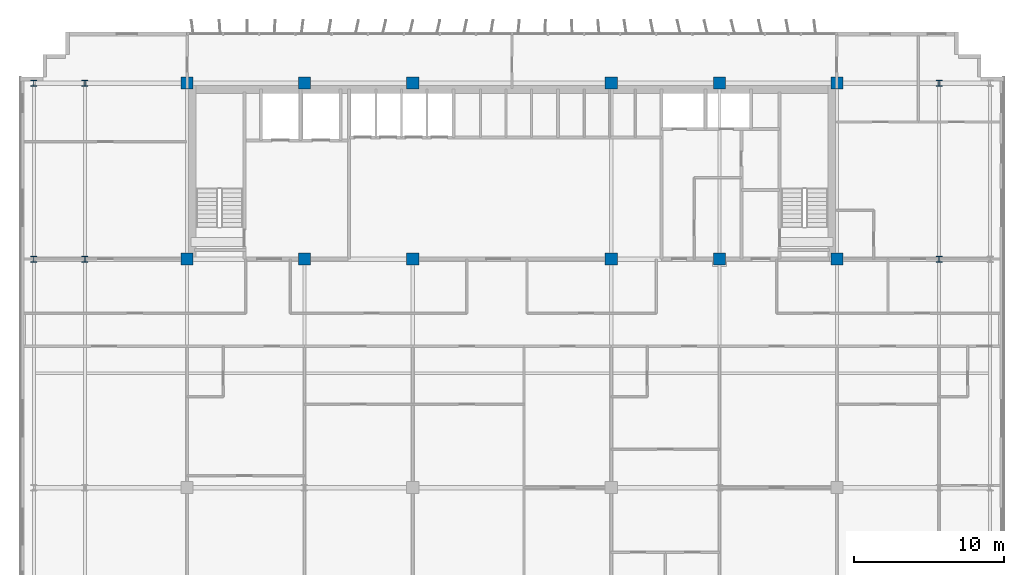
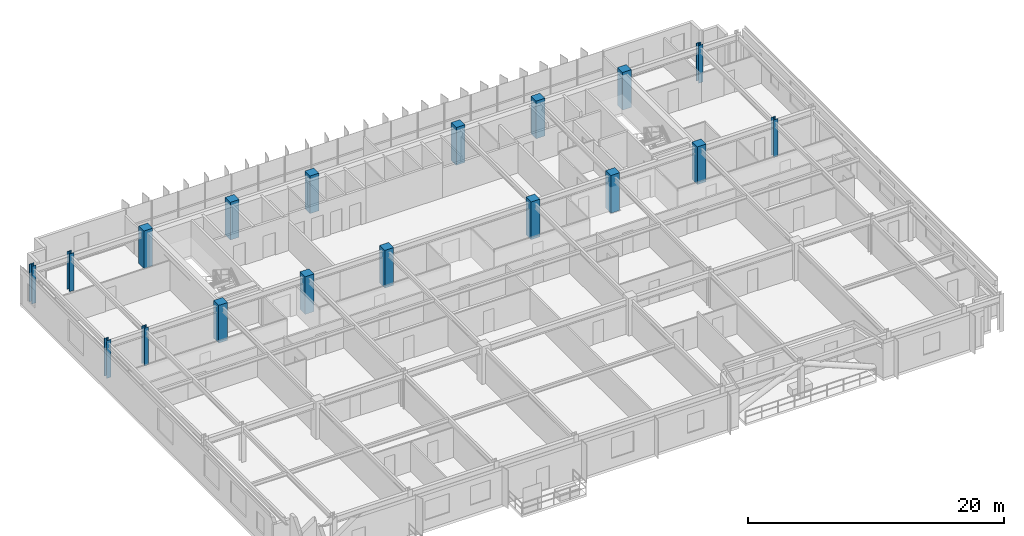
# One storey, part 2 of 22: 18 columns.
"""IFC4 building model written with IfcOpenShell, lengths in metres."""

from ifc_helpers import new_model, si_unit, direction, frame, origin, origin_2d, place, context, subcontext, project, spatial, rectangle, i_section, extrude, source, transform, mapped, material, material_profile, profile_set, type_object, element, save


model = new_model("IFC4")

# Units and contexts
model_context = context("Model", 3, precision=1e-05, world=origin(), true_north=direction((0.0, 1.0)))
body_context = subcontext(model_context, "Body", "Model", "MODEL_VIEW")
ifc_project = project(units=[si_unit("LENGTHUNIT", "METRE"), si_unit("AREAUNIT", "SQUARE_METRE"), si_unit("VOLUMEUNIT", "CUBIC_METRE"), si_unit("PLANEANGLEUNIT", "RADIAN"), si_unit("MASSUNIT", "GRAM", prefix="KILO")], contexts=[model_context])

# Site, building, storey
site_placement = place(None, origin())
site = spatial("IfcSite", under=ifc_project, at=site_placement, CompositionType="ELEMENT")
building_placement = place(site_placement, origin())
building = spatial("IfcBuilding", under=site, at=building_placement, Name="Trelvane Seafront Commons", CompositionType="ELEMENT")
storey_placement = place(building_placement, frame((0.0, 0.0, 121.300048828125)))
storey = spatial("IfcBuildingStorey", under=building, at=storey_placement, Name="L31", CompositionType="ELEMENT", Elevation=121.300048828125)

# Columns
ifc_material_1 = material(Name="Steel SM355 (S355)", Category="steel")
ifc_material_profile_1 = material_profile(ifc_material_1, i_section(OverallWidth=0.39990234375, OverallDepth=0.39990234375, WebThickness=0.02197265625, FlangeThickness=0.034912109375, at=origin_2d()), Name="HD-400x400x22x35")
ifc_profile_set_1 = profile_set([ifc_material_profile_1], Name="Steel SM355 (S355)")
column_type_1 = type_object("IfcColumnType", Name="STR-COL-HD400", PredefinedType="COLUMN", material=ifc_profile_set_1)
shared_shape_1 = source(origin(), body_context, "Body", "SweptSolid", [
    extrude(i_section(OverallWidth=0.39990234375, OverallDepth=0.39990234375, WebThickness=0.02197265625, FlangeThickness=0.034912109375, at=origin_2d()), origin(), (0.0, 0.0, 1.0), 3.599853515625),
])
for number, where, z_axis, x_axis, name in (
    (1, (5.39990234375, 33.39990234375, 0.0), (0.0, 0.0, 1.0), (1.0, 0.0, 0.0), "L31 Column TC-CS5.4"),
    (2, (5.39990234375, 45.10009765625, 0.0), (0.0, 0.0, 1.0), (1.0, 0.0, 0.0), "L31 Column TC-CN5.4"),
    (3, (8.800048828125, 33.39990234375, 0.0), (0.0, 0.0, 1.0), (1.0, 0.0, 0.0), "L31 Column TC-CS8.8"),
    (4, (8.800048828125, 45.10009765625, 0.0), (0.0, 0.0, 1.0), (1.0, 0.0, 0.0), "L31 Column TC-CN8.8"),
    (5, (65.60009765625, 33.39990234375, 0.0), (0.0, 0.0, 1.0), (1.0, 0.0, 0.0), "L31 Column TC-CS65.6"),
    (6, (65.60009765625, 45.10009765625, 0.0), (0.0, 0.0, 1.0), (1.0, 0.0, 0.0), "L31 Column TC-CN65.6"),
):
    element("IfcColumn", number, at=place(storey_placement, frame(where, z_axis=z_axis, x_axis=x_axis)), inside=storey, type_object=column_type_1, Name=name, PredefinedType="COLUMN", context=body_context, shape_type="MappedRepresentation", body=[
        mapped(shared_shape_1, transform((0.0, 0.0, 0.0), x_axis=(1.0, 0.0, 0.0), y_axis=(0.0, 1.0, 0.0), z_axis=(0.0, 0.0, 1.0), scale=1.0)),
    ])
ifc_material_2 = material(Name="Concrete C60/75", Category="concrete")
ifc_material_profile_2 = material_profile(ifc_material_2, rectangle(XDim=0.800048828125, YDim=0.800048828125, at=origin_2d()), Name="RC-800x800")
ifc_profile_set_2 = profile_set([ifc_material_profile_2], Name="Concrete C60/75")
column_type_2 = type_object("IfcColumnType", Name="STR-COL-RC800", PredefinedType="COLUMN", material=ifc_profile_set_2)
shared_shape_2 = source(origin(), body_context, "Body", "SweptSolid", [
    extrude(rectangle(XDim=0.800048828125, YDim=0.800048828125, at=origin_2d()), origin(), (0.0, 0.0, 1.0), 3.599853515625),
])
for number, where, z_axis, x_axis, name in (
    (7, (15.60009765625, 33.39990234375, 0.0), (0.0, 0.0, 1.0), (1.0, 0.0, 0.0), "L31 Column TC-CS15.6"),
    (8, (15.60009765625, 45.10009765625, 0.0), (0.0, 0.0, 1.0), (1.0, 0.0, 0.0), "L31 Column TC-CN15.6"),
    (9, (23.39990234375, 33.39990234375, 0.0), (0.0, 0.0, 1.0), (1.0, 0.0, 0.0), "L31 Column TC-CS23.4"),
    (10, (23.39990234375, 45.10009765625, 0.0), (0.0, 0.0, 1.0), (1.0, 0.0, 0.0), "L31 Column TC-CN23.4"),
    (11, (30.60009765625, 33.39990234375, 0.0), (0.0, 0.0, 1.0), (1.0, 0.0, 0.0), "L31 Column TC-CS30.6"),
    (12, (30.60009765625, 45.10009765625, 0.0), (0.0, 0.0, 1.0), (1.0, 0.0, 0.0), "L31 Column TC-CN30.6"),
    (13, (43.800048828125, 33.39990234375, 0.0), (0.0, 0.0, 1.0), (1.0, 0.0, 0.0), "L31 Column TC-CS43.8"),
    (14, (43.800048828125, 45.10009765625, 0.0), (0.0, 0.0, 1.0), (1.0, 0.0, 0.0), "L31 Column TC-CN43.8"),
    (15, (51.0, 33.39990234375, 0.0), (0.0, 0.0, 1.0), (1.0, 0.0, 0.0), "L31 Column TC-CS51.0"),
    (16, (51.0, 45.10009765625, 0.0), (0.0, 0.0, 1.0), (1.0, 0.0, 0.0), "L31 Column TC-CN51.0"),
    (17, (58.800048828125, 33.39990234375, 0.0), (0.0, 0.0, 1.0), (1.0, 0.0, 0.0), "L31 Column TC-CS58.8"),
    (18, (58.800048828125, 45.10009765625, 0.0), (0.0, 0.0, 1.0), (1.0, 0.0, 0.0), "L31 Column TC-CN58.8"),
):
    element("IfcColumn", number, at=place(storey_placement, frame(where, z_axis=z_axis, x_axis=x_axis)), inside=storey, type_object=column_type_2, Name=name, PredefinedType="COLUMN", context=body_context, shape_type="MappedRepresentation", body=[
        mapped(shared_shape_2, transform((0.0, 0.0, 0.0), x_axis=(1.0, 0.0, 0.0), y_axis=(0.0, 1.0, 0.0), z_axis=(0.0, 0.0, 1.0), scale=1.0)),
    ])

save(model, "model.ifc")
